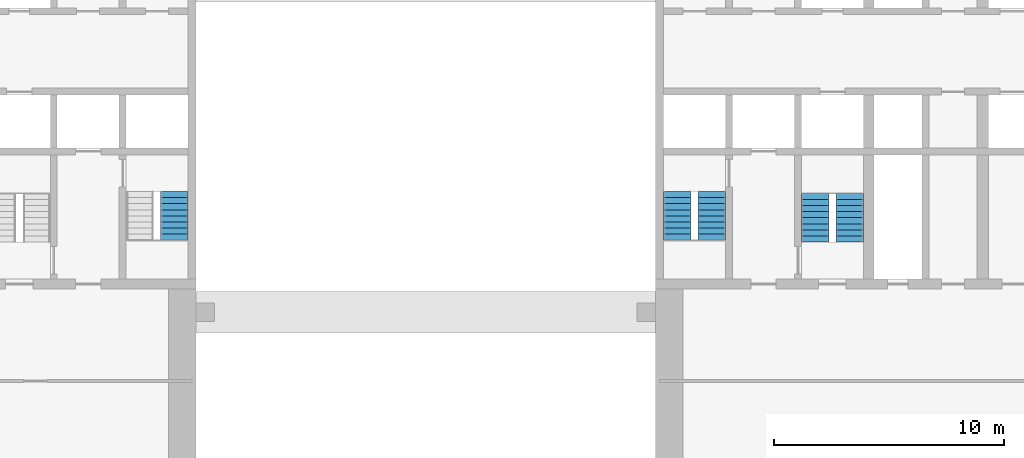
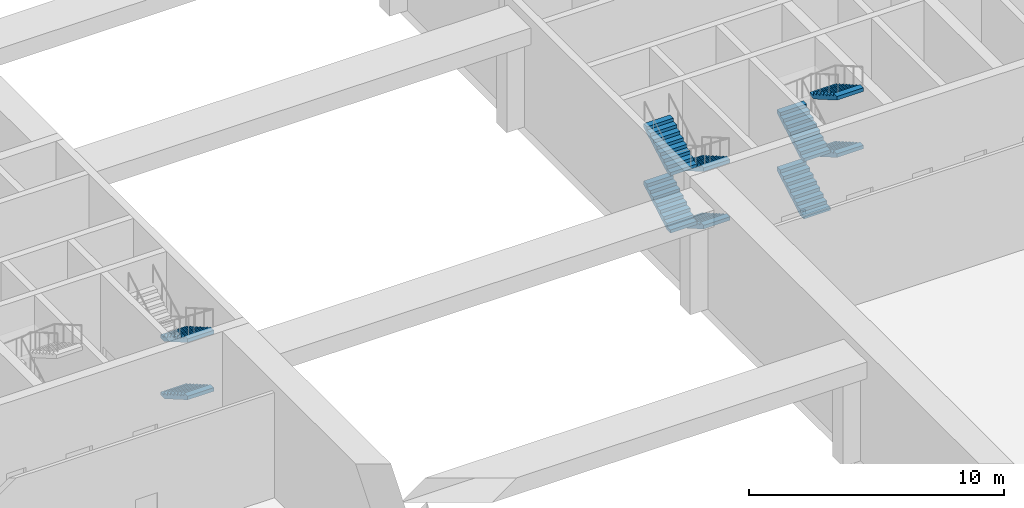
# One storey, part 28 of 30: 10 stair flights, 3 elements without a shape of their own.
"""IFC4 building model written with IfcOpenShell, lengths in metres."""

from ifc_helpers import new_model, si_unit, direction, frame, origin, place, context, subcontext, project, spatial, polyline, outline, extrude, material, type_object, element, aggregate, save


model = new_model("IFC4")

# Units and contexts
model_context = context("Model", 3, precision=1e-05, world=origin(), true_north=direction((0.0, 1.0)))
body_context = subcontext(model_context, "Body", "Model", "MODEL_VIEW")
ifc_project = project(units=[si_unit("LENGTHUNIT", "METRE"), si_unit("AREAUNIT", "SQUARE_METRE"), si_unit("VOLUMEUNIT", "CUBIC_METRE"), si_unit("PLANEANGLEUNIT", "RADIAN"), si_unit("MASSUNIT", "GRAM", prefix="KILO")], contexts=[model_context])

# Site, building, storey
site_placement = place(None, origin())
site = spatial("IfcSite", under=ifc_project, at=site_placement, CompositionType="ELEMENT")
building_placement = place(site_placement, origin())
building = spatial("IfcBuilding", under=site, at=building_placement, Name="Torana Hotel and Residences", CompositionType="ELEMENT")
storey_placement = place(building_placement, frame((0.0, 0.0, 12.5)))
storey = spatial("IfcBuildingStorey", under=building, at=storey_placement, Name="L02", CompositionType="ELEMENT", Elevation=12.5)

# Stair, stair flights
ifc_material_1 = material(Name="Concrete C40/50 precast", Category="concrete")
stair_type_1 = type_object("IfcStairType", Name="STAIR ST1 HALF TURN 1200", PredefinedType="HALF_TURN_STAIR", material=ifc_material_1)
stair_1_placement = place(storey_placement, origin())
stair_1 = element("IfcStair", 1, at=stair_1_placement, inside=storey, type_object=stair_type_1, Name="Stair ST1 L02", PredefinedType="HALF_TURN_STAIR")
ifc_material_2 = material(Name="Concrete C40/50 precast", Category="concrete")
stair_flight_type = type_object("IfcStairFlightType", Name="STAIR FLIGHT 1200 PRECAST", PredefinedType="STRAIGHT", material=ifc_material_2)
stair_flight_1_placement = place(storey_placement, frame((-10.949951171875, -10.75, 0.0), z_axis=(0.0, 0.0, 1.0), x_axis=(0.0, -1.0, 0.0)))
stair_flight_1 = element("IfcStairFlight", 2, at=stair_flight_1_placement, type_object=stair_flight_type, Name="ST1 flight 1", NumberOfRisers=9, NumberOfTreads=8, PredefinedType="STRAIGHT", RiserHeight=0.152777778, TreadLength=0.265, context=body_context, shape_type="SweptSolid", body=[
    extrude(outline(polyline([(0.0, 0.0), (0.0, 0.15283203125), (0.264892578125, 0.15283203125), (0.264892578125, 0.3056640625), (0.530029296875, 0.3056640625), (0.530029296875, 0.458251953125), (0.794921875, 0.458251953125), (0.794921875, 0.611083984375), (1.06005859375, 0.611083984375), (1.06005859375, 0.763916015625), (1.324951171875, 0.763916015625), (1.324951171875, 0.916748046875), (1.590087890625, 0.916748046875), (1.590087890625, 1.0693359375), (1.85498046875, 1.0693359375), (1.85498046875, 1.22216796875), (2.1201171875, 1.22216796875), (2.1201171875, 1.375), (2.1201171875, 1.049072265625), (0.300048828125, 0.0), (0.0, 0.0)])), frame((0.0, 0.60009765625, 0.0), z_axis=(0.0, -1.0, 0.0), x_axis=(1.0, 0.0, 0.0)), (0.0, 0.0, 1.0), 1.199951171875),
])
stair_flight_2_placement = place(storey_placement, frame((-10.949951171875, -10.75, 2.75), z_axis=(0.0, 0.0, 1.0), x_axis=(0.0, -1.0, 0.0)))
stair_flight_2 = element("IfcStairFlight", 3, at=stair_flight_2_placement, type_object=stair_flight_type, Name="ST1 flight 3", NumberOfRisers=9, NumberOfTreads=8, PredefinedType="STRAIGHT", RiserHeight=0.152777778, TreadLength=0.265, context=body_context, shape_type="SweptSolid", body=[
    extrude(outline(polyline([(0.0, 0.0), (0.0, 0.15283203125), (0.264892578125, 0.15283203125), (0.264892578125, 0.3056640625), (0.530029296875, 0.3056640625), (0.530029296875, 0.458251953125), (0.794921875, 0.458251953125), (0.794921875, 0.611083984375), (1.06005859375, 0.611083984375), (1.06005859375, 0.763916015625), (1.324951171875, 0.763916015625), (1.324951171875, 0.916748046875), (1.590087890625, 0.916748046875), (1.590087890625, 1.0693359375), (1.85498046875, 1.0693359375), (1.85498046875, 1.22216796875), (2.1201171875, 1.22216796875), (2.1201171875, 1.375), (2.1201171875, 1.049072265625), (0.300048828125, 0.0), (0.0, 0.0)])), frame((0.0, 0.60009765625, 0.0), z_axis=(0.0, -1.0, 0.0), x_axis=(1.0, 0.0, 0.0)), (0.0, 0.0, 1.0), 1.199951171875),
])
aggregate(stair_1, [stair_flight_1, stair_flight_2])

ifc_material_3 = material(Name="Concrete C40/50 precast", Category="concrete")
stair_type_2 = type_object("IfcStairType", Name="STAIR ST3 HALF TURN 1200", PredefinedType="HALF_TURN_STAIR", material=ifc_material_3)
stair_2_placement = place(storey_placement, origin())
stair_2 = element("IfcStair", 4, at=stair_2_placement, inside=storey, type_object=stair_type_2, Name="Stair ST3 L02", PredefinedType="HALF_TURN_STAIR")
stair_flight_3_placement = place(storey_placement, frame((12.449951171875, -10.75, 0.0), z_axis=(0.0, 0.0, 1.0), x_axis=(0.0, -1.0, 0.0)))
stair_flight_3 = element("IfcStairFlight", 5, at=stair_flight_3_placement, type_object=stair_flight_type, Name="ST3 flight 1", NumberOfRisers=9, NumberOfTreads=8, PredefinedType="STRAIGHT", RiserHeight=0.152777778, TreadLength=0.265, context=body_context, shape_type="SweptSolid", body=[
    extrude(outline(polyline([(0.0, 0.0), (0.0, 0.15283203125), (0.264892578125, 0.15283203125), (0.264892578125, 0.3056640625), (0.530029296875, 0.3056640625), (0.530029296875, 0.458251953125), (0.794921875, 0.458251953125), (0.794921875, 0.611083984375), (1.06005859375, 0.611083984375), (1.06005859375, 0.763916015625), (1.324951171875, 0.763916015625), (1.324951171875, 0.916748046875), (1.590087890625, 0.916748046875), (1.590087890625, 1.0693359375), (1.85498046875, 1.0693359375), (1.85498046875, 1.22216796875), (2.1201171875, 1.22216796875), (2.1201171875, 1.375), (2.1201171875, 1.049072265625), (0.300048828125, 0.0), (0.0, 0.0)])), frame((0.0, 0.60009765625, 0.0), z_axis=(0.0, -1.0, 0.0), x_axis=(1.0, 0.0, 0.0)), (0.0, 0.0, 1.0), 1.199951171875),
])
stair_flight_4_placement = place(storey_placement, frame((10.949951171875, -12.8701171875, 1.375), z_axis=(0.0, 0.0, 1.0), x_axis=(0.0, 1.0, 0.0)))
stair_flight_4 = element("IfcStairFlight", 6, at=stair_flight_4_placement, type_object=stair_flight_type, Name="ST3 flight 2", NumberOfRisers=9, NumberOfTreads=8, PredefinedType="STRAIGHT", RiserHeight=0.152777778, TreadLength=0.265, context=body_context, shape_type="SweptSolid", body=[
    extrude(outline(polyline([(0.0, 0.0), (0.0, 0.15283203125), (0.264892578125, 0.15283203125), (0.264892578125, 0.3056640625), (0.530029296875, 0.3056640625), (0.530029296875, 0.458251953125), (0.794921875, 0.458251953125), (0.794921875, 0.611083984375), (1.06005859375, 0.611083984375), (1.06005859375, 0.763916015625), (1.324951171875, 0.763916015625), (1.324951171875, 0.916748046875), (1.590087890625, 0.916748046875), (1.590087890625, 1.0693359375), (1.85498046875, 1.0693359375), (1.85498046875, 1.22216796875), (2.1201171875, 1.22216796875), (2.1201171875, 1.375), (2.1201171875, 1.049072265625), (0.300048828125, 0.0), (0.0, 0.0)])), frame((0.0, 0.60009765625, 0.0), z_axis=(0.0, -1.0, 0.0), x_axis=(1.0, 0.0, 0.0)), (0.0, 0.0, 1.0), 1.199951171875),
])
stair_flight_5_placement = place(storey_placement, frame((12.449951171875, -10.75, 2.75), z_axis=(0.0, 0.0, 1.0), x_axis=(0.0, -1.0, 0.0)))
stair_flight_5 = element("IfcStairFlight", 7, at=stair_flight_5_placement, type_object=stair_flight_type, Name="ST3 flight 3", NumberOfRisers=9, NumberOfTreads=8, PredefinedType="STRAIGHT", RiserHeight=0.152777778, TreadLength=0.265, context=body_context, shape_type="SweptSolid", body=[
    extrude(outline(polyline([(0.0, 0.0), (0.0, 0.15283203125), (0.264892578125, 0.15283203125), (0.264892578125, 0.3056640625), (0.530029296875, 0.3056640625), (0.530029296875, 0.458251953125), (0.794921875, 0.458251953125), (0.794921875, 0.611083984375), (1.06005859375, 0.611083984375), (1.06005859375, 0.763916015625), (1.324951171875, 0.763916015625), (1.324951171875, 0.916748046875), (1.590087890625, 0.916748046875), (1.590087890625, 1.0693359375), (1.85498046875, 1.0693359375), (1.85498046875, 1.22216796875), (2.1201171875, 1.22216796875), (2.1201171875, 1.375), (2.1201171875, 1.049072265625), (0.300048828125, 0.0), (0.0, 0.0)])), frame((0.0, 0.60009765625, 0.0), z_axis=(0.0, -1.0, 0.0), x_axis=(1.0, 0.0, 0.0)), (0.0, 0.0, 1.0), 1.199951171875),
])
stair_flight_6_placement = place(storey_placement, frame((10.949951171875, -12.8701171875, 4.125), z_axis=(0.0, 0.0, 1.0), x_axis=(0.0, 1.0, 0.0)))
stair_flight_6 = element("IfcStairFlight", 8, at=stair_flight_6_placement, type_object=stair_flight_type, Name="ST3 flight 4", NumberOfRisers=9, NumberOfTreads=8, PredefinedType="STRAIGHT", RiserHeight=0.152777778, TreadLength=0.265, context=body_context, shape_type="SweptSolid", body=[
    extrude(outline(polyline([(0.0, 0.0), (0.0, 0.15283203125), (0.264892578125, 0.15283203125), (0.264892578125, 0.3056640625), (0.530029296875, 0.3056640625), (0.530029296875, 0.458251953125), (0.794921875, 0.458251953125), (0.794921875, 0.611083984375), (1.06005859375, 0.611083984375), (1.06005859375, 0.763916015625), (1.324951171875, 0.763916015625), (1.324951171875, 0.916748046875), (1.590087890625, 0.916748046875), (1.590087890625, 1.0693359375), (1.85498046875, 1.0693359375), (1.85498046875, 1.22216796875), (2.1201171875, 1.22216796875), (2.1201171875, 1.375), (2.1201171875, 1.049072265625), (0.300048828125, 0.0), (0.0, 0.0)])), frame((0.0, 0.60009765625, 0.0), z_axis=(0.0, -1.0, 0.0), x_axis=(1.0, 0.0, 0.0)), (0.0, 0.0, 1.0), 1.199951171875),
])
aggregate(stair_2, [stair_flight_3, stair_flight_4, stair_flight_5, stair_flight_6])

ifc_material_4 = material(Name="Concrete C40/50 precast", Category="concrete")
stair_type_3 = type_object("IfcStairType", Name="STAIR ST4 HALF TURN 1200", PredefinedType="HALF_TURN_STAIR", material=ifc_material_4)
stair_3_placement = place(storey_placement, origin())
stair_3 = element("IfcStair", 9, at=stair_3_placement, inside=storey, type_object=stair_type_3, Name="Stair ST4 L02", PredefinedType="HALF_TURN_STAIR")
stair_flight_7_placement = place(storey_placement, frame((16.949951171875, -12.949951171875, 0.0), z_axis=(0.0, 0.0, 1.0), x_axis=(0.0, 1.0, 0.0)))
stair_flight_7 = element("IfcStairFlight", 10, at=stair_flight_7_placement, type_object=stair_flight_type, Name="ST4 flight 1", NumberOfRisers=9, NumberOfTreads=8, PredefinedType="STRAIGHT", RiserHeight=0.152777778, TreadLength=0.265, context=body_context, shape_type="SweptSolid", body=[
    extrude(outline(polyline([(0.0, 0.0), (0.0, 0.15283203125), (0.264892578125, 0.15283203125), (0.264892578125, 0.3056640625), (0.530029296875, 0.3056640625), (0.530029296875, 0.458251953125), (0.794921875, 0.458251953125), (0.794921875, 0.611083984375), (1.06005859375, 0.611083984375), (1.06005859375, 0.763916015625), (1.324951171875, 0.763916015625), (1.324951171875, 0.916748046875), (1.590087890625, 0.916748046875), (1.590087890625, 1.0693359375), (1.85498046875, 1.0693359375), (1.85498046875, 1.22216796875), (2.1201171875, 1.22216796875), (2.1201171875, 1.375), (2.1201171875, 1.049072265625), (0.300048828125, 0.0), (0.0, 0.0)])), frame((0.0, 0.60009765625, 0.0), z_axis=(0.0, -1.0, 0.0), x_axis=(1.0, 0.0, 0.0)), (0.0, 0.0, 1.0), 1.199951171875),
])
stair_flight_8_placement = place(storey_placement, frame((18.449951171875, -10.830078125, 1.375), z_axis=(0.0, 0.0, 1.0), x_axis=(0.0, -1.0, 0.0)))
stair_flight_8 = element("IfcStairFlight", 11, at=stair_flight_8_placement, type_object=stair_flight_type, Name="ST4 flight 2", NumberOfRisers=9, NumberOfTreads=8, PredefinedType="STRAIGHT", RiserHeight=0.152777778, TreadLength=0.265, context=body_context, shape_type="SweptSolid", body=[
    extrude(outline(polyline([(0.0, 0.0), (0.0, 0.15283203125), (0.264892578125, 0.15283203125), (0.264892578125, 0.3056640625), (0.530029296875, 0.3056640625), (0.530029296875, 0.458251953125), (0.794921875, 0.458251953125), (0.794921875, 0.611083984375), (1.06005859375, 0.611083984375), (1.06005859375, 0.763916015625), (1.324951171875, 0.763916015625), (1.324951171875, 0.916748046875), (1.590087890625, 0.916748046875), (1.590087890625, 1.0693359375), (1.85498046875, 1.0693359375), (1.85498046875, 1.22216796875), (2.1201171875, 1.22216796875), (2.1201171875, 1.375), (2.1201171875, 1.049072265625), (0.300048828125, 0.0), (0.0, 0.0)])), frame((0.0, 0.60009765625, 0.0), z_axis=(0.0, -1.0, 0.0), x_axis=(1.0, 0.0, 0.0)), (0.0, 0.0, 1.0), 1.199951171875),
])
stair_flight_9_placement = place(storey_placement, frame((16.949951171875, -12.949951171875, 2.75), z_axis=(0.0, 0.0, 1.0), x_axis=(0.0, 1.0, 0.0)))
stair_flight_9 = element("IfcStairFlight", 12, at=stair_flight_9_placement, type_object=stair_flight_type, Name="ST4 flight 3", NumberOfRisers=9, NumberOfTreads=8, PredefinedType="STRAIGHT", RiserHeight=0.152777778, TreadLength=0.265, context=body_context, shape_type="SweptSolid", body=[
    extrude(outline(polyline([(0.0, 0.0), (0.0, 0.15283203125), (0.264892578125, 0.15283203125), (0.264892578125, 0.3056640625), (0.530029296875, 0.3056640625), (0.530029296875, 0.458251953125), (0.794921875, 0.458251953125), (0.794921875, 0.611083984375), (1.06005859375, 0.611083984375), (1.06005859375, 0.763916015625), (1.324951171875, 0.763916015625), (1.324951171875, 0.916748046875), (1.590087890625, 0.916748046875), (1.590087890625, 1.0693359375), (1.85498046875, 1.0693359375), (1.85498046875, 1.22216796875), (2.1201171875, 1.22216796875), (2.1201171875, 1.375), (2.1201171875, 1.049072265625), (0.300048828125, 0.0), (0.0, 0.0)])), frame((0.0, 0.60009765625, 0.0), z_axis=(0.0, -1.0, 0.0), x_axis=(1.0, 0.0, 0.0)), (0.0, 0.0, 1.0), 1.199951171875),
])
stair_flight_10_placement = place(storey_placement, frame((18.449951171875, -10.830078125, 4.125), z_axis=(0.0, 0.0, 1.0), x_axis=(0.0, -1.0, 0.0)))
stair_flight_10 = element("IfcStairFlight", 13, at=stair_flight_10_placement, type_object=stair_flight_type, Name="ST4 flight 4", NumberOfRisers=9, NumberOfTreads=8, PredefinedType="STRAIGHT", RiserHeight=0.152777778, TreadLength=0.265, context=body_context, shape_type="SweptSolid", body=[
    extrude(outline(polyline([(0.0, 0.0), (0.0, 0.15283203125), (0.264892578125, 0.15283203125), (0.264892578125, 0.3056640625), (0.530029296875, 0.3056640625), (0.530029296875, 0.458251953125), (0.794921875, 0.458251953125), (0.794921875, 0.611083984375), (1.06005859375, 0.611083984375), (1.06005859375, 0.763916015625), (1.324951171875, 0.763916015625), (1.324951171875, 0.916748046875), (1.590087890625, 0.916748046875), (1.590087890625, 1.0693359375), (1.85498046875, 1.0693359375), (1.85498046875, 1.22216796875), (2.1201171875, 1.22216796875), (2.1201171875, 1.375), (2.1201171875, 1.049072265625), (0.300048828125, 0.0), (0.0, 0.0)])), frame((0.0, 0.60009765625, 0.0), z_axis=(0.0, -1.0, 0.0), x_axis=(1.0, 0.0, 0.0)), (0.0, 0.0, 1.0), 1.199951171875),
])
aggregate(stair_3, [stair_flight_7, stair_flight_8, stair_flight_9, stair_flight_10])

save(model, "model.ifc")
